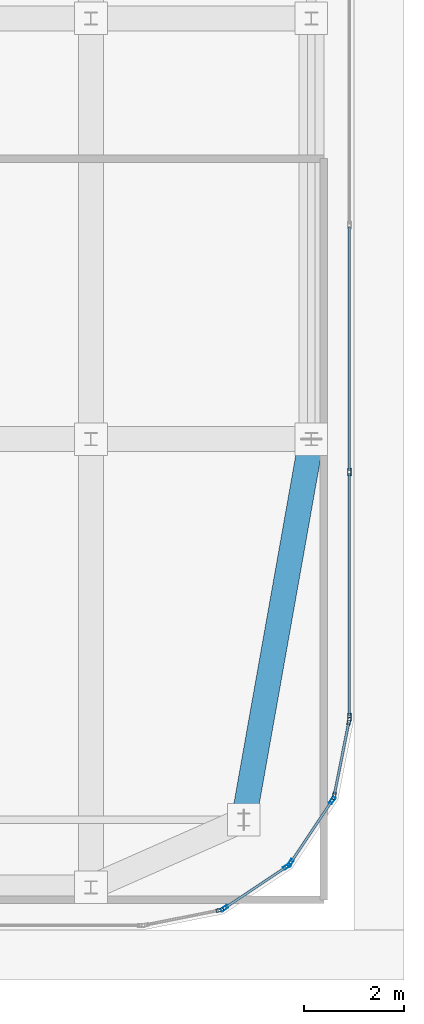
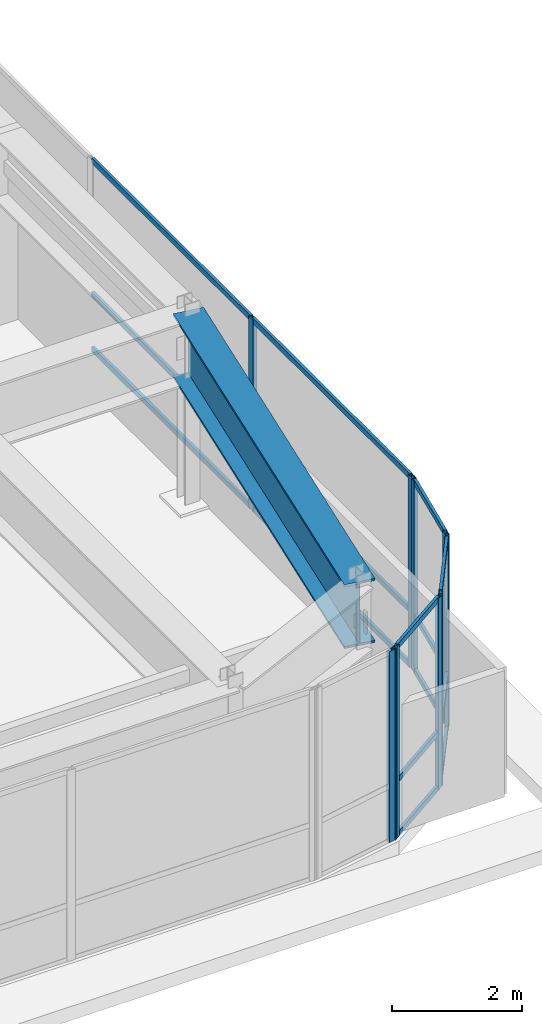
# One storey, part 19 of 35: 24 members, 1 beam, 5 elements without a shape of their own.
"""IFC4 building model written with IfcOpenShell, lengths in metres."""

from ifc_helpers import new_model, si_unit, direction, frame, origin, origin_2d, place, context, subcontext, project, spatial, hollow_rectangle, i_section, extrude, source, transform, mapped, material, layer, layer_set, material_profile, profile_set, type_object, type_shapes, element, aggregate, save


model = new_model("IFC4")

# Units and contexts
model_context = context("Model", 3, precision=1e-05, world=origin(), true_north=direction((0.0, 1.0)))
body_context = subcontext(model_context, "Body", "Model", "MODEL_VIEW")
ifc_project = project(units=[si_unit("LENGTHUNIT", "METRE"), si_unit("AREAUNIT", "SQUARE_METRE"), si_unit("VOLUMEUNIT", "CUBIC_METRE"), si_unit("PLANEANGLEUNIT", "RADIAN"), si_unit("MASSUNIT", "GRAM", prefix="KILO")], contexts=[model_context])

# Site, building, storey
site_placement = place(None, origin())
site = spatial("IfcSite", under=ifc_project, at=site_placement, CompositionType="ELEMENT")
building_placement = place(site_placement, origin())
building = spatial("IfcBuilding", under=site, at=building_placement, Name="Tolvann Quenvar Hotel", CompositionType="ELEMENT")
storey_placement = place(building_placement, frame((0.0, 0.0, 290.949951171875)))
storey = spatial("IfcBuildingStorey", under=building, at=storey_placement, Name="L77", CompositionType="ELEMENT", Elevation=290.949951171875)

# Beam
ifc_material_1 = material(Name="Steel Grade 350", Category="steel")
ifc_material_profile_1 = material_profile(ifc_material_1, i_section(OverallWidth=0.5, OverallDepth=1.199951171875, WebThickness=0.01611328125, FlangeThickness=0.0400390625, at=origin_2d()), Name="1200WB455")
ifc_profile_set_1 = profile_set([ifc_material_profile_1], Name="Steel Grade 350")
beam_type = type_object("IfcBeamType", Name="BM_TG_1200WB455", PredefinedType="USERDEFINED", material=ifc_profile_set_1)
shared_shape_1 = source(origin(), body_context, "Body", "SweptSolid", [
    extrude(i_section(OverallWidth=0.5, OverallDepth=1.199951171875, WebThickness=0.01611328125, FlangeThickness=0.0400390625, at=origin_2d()), origin(), (0.0, 0.0, 1.0), 7.718994140625),
])
type_shapes(beam_type, [shared_shape_1])
beam_placement = place(storey_placement, frame((35.800048828125, 8.39990234375, 2.97998046875), z_axis=(0.174873222329, 0.984590958781, 0.0), x_axis=(-0.984590958781, 0.174873222329, 0.0)))
element("IfcBeam", 1, at=beam_placement, inside=storey, type_object=beam_type, Name="BM-L77-NS-G2-G4", ObjectType="TRANSFER GIRDER", PredefinedType="USERDEFINED", context=body_context, shape_type="MappedRepresentation", body=[
    mapped(shared_shape_1, transform((0.0, 0.0, 0.0), x_axis=(1.0, 0.0, 0.0), y_axis=(0.0, 1.0, 0.0), z_axis=(0.0, 0.0, 1.0), scale=1.0)),
])

# Curtain wall, member
ifc_material_2 = material(Name="Thermally broken anodised architectural aluminium 6063-T6 and laminated low-E glass", Category="aluminium")
ifc_layer = layer(ifc_material_2, 0.179931640625)
ifc_layer_set = layer_set([ifc_layer], Name="Thermally broken anodised architectural aluminium 6063-T6 and laminated low-E glass")
curtain_wall_type = type_object("IfcCurtainWallType", Name="CW_SYS_LANT_06", PredefinedType="USERDEFINED", material=ifc_layer_set)
curtain_wall_1_placement = place(storey_placement, origin())
curtain_wall_1 = element("IfcCurtainWall", 2, at=curtain_wall_1_placement, inside=storey, type_object=curtain_wall_type, Name="Curtain Wall CW-LANT-06 (CWR-L77-E05)", ObjectType="UNITISED CURTAIN WALL", PredefinedType="USERDEFINED")
ifc_material_3 = material(Name="Anodised architectural aluminium 6063-T6 framing", Category="aluminium")
ifc_material_profile_2 = material_profile(ifc_material_3, hollow_rectangle(XDim=0.06494140625, YDim=0.14990234375, WallThickness=0.00390625, at=origin_2d()), Name="150x65x4RHS")
ifc_profile_set_2 = profile_set([ifc_material_profile_2], Name="Anodised architectural aluminium 6063-T6 framing")
member_type_1 = type_object("IfcMemberType", Name="CW_MULL_150x65", PredefinedType="MULLION", material=ifc_profile_set_2)
shared_shape_2 = source(origin(), body_context, "Body", "SweptSolid", [
    extrude(hollow_rectangle(XDim=0.06494140625, YDim=0.14990234375, WallThickness=0.00390625, at=origin_2d()), origin(), (0.0, 0.0, 1.0), 3.580078125),
])
type_shapes(member_type_1, [shared_shape_2])
member_1_placement = place(storey_placement, frame((35.32373046875, 6.5947265625, 0.0), z_axis=(0.0, 0.0, 1.0), x_axis=(-0.195061569369, 0.980790999222, 0.0)))
member_1 = element("IfcMember", 3, at=member_1_placement, type_object=member_type_1, Name="CW-LANT-06 mullion 2", PredefinedType="MULLION", context=body_context, shape_type="MappedRepresentation", body=[
    mapped(shared_shape_2, transform((0.0, 0.0, 0.0), x_axis=(1.0, 0.0, 0.0), y_axis=(0.0, 1.0, 0.0), z_axis=(0.0, 0.0, 1.0), scale=1.0)),
])
aggregate(curtain_wall_1, [member_1])

# Curtain wall, members
curtain_wall_2_placement = place(storey_placement, origin())
curtain_wall_2 = element("IfcCurtainWall", 4, at=curtain_wall_2_placement, inside=storey, type_object=curtain_wall_type, Name="Curtain Wall CW-LANT-06 (CWR-L77-E06)", ObjectType="UNITISED CURTAIN WALL", PredefinedType="USERDEFINED")
member_2_placement = place(storey_placement, frame((35.413330078125, 6.6318359375, 0.0), z_axis=(0.0, 0.0, 1.0), x_axis=(-0.555655769644, 0.831412452193, 0.0)))
member_2 = element("IfcMember", 5, at=member_2_placement, type_object=member_type_1, Name="CW-LANT-06 mullion 1", PredefinedType="MULLION", context=body_context, shape_type="MappedRepresentation", body=[
    mapped(shared_shape_2, transform((0.0, 0.0, 0.0), x_axis=(1.0, 0.0, 0.0), y_axis=(0.0, 1.0, 0.0), z_axis=(0.0, 0.0, 1.0), scale=1.0)),
])
member_3_placement = place(storey_placement, frame((36.663818359375, 7.467529296875, 0.0), z_axis=(0.0, 0.0, 1.0), x_axis=(-0.555655769644, 0.831412452193, 0.0)))
member_3 = element("IfcMember", 6, at=member_3_placement, type_object=member_type_1, Name="CW-LANT-06 mullion 2", PredefinedType="MULLION", context=body_context, shape_type="MappedRepresentation", body=[
    mapped(shared_shape_2, transform((0.0, 0.0, 0.0), x_axis=(1.0, 0.0, 0.0), y_axis=(0.0, 1.0, 0.0), z_axis=(0.0, 0.0, 1.0), scale=1.0)),
])

curtain_wall_3_placement = place(storey_placement, origin())
curtain_wall_3 = element("IfcCurtainWall", 7, at=curtain_wall_3_placement, inside=storey, type_object=curtain_wall_type, Name="Curtain Wall CW-LANT-06 (CWR-L77-E07)", ObjectType="UNITISED CURTAIN WALL", PredefinedType="USERDEFINED")
member_4_placement = place(storey_placement, frame((36.732421875, 7.5361328125, 0.0), z_axis=(0.0, 0.0, 1.0), x_axis=(-0.831412452193, 0.555655769644, 0.0)))
member_4 = element("IfcMember", 8, at=member_4_placement, type_object=member_type_1, Name="CW-LANT-06 mullion 1", PredefinedType="MULLION", context=body_context, shape_type="MappedRepresentation", body=[
    mapped(shared_shape_2, transform((0.0, 0.0, 0.0), x_axis=(1.0, 0.0, 0.0), y_axis=(0.0, 1.0, 0.0), z_axis=(0.0, 0.0, 1.0), scale=1.0)),
])
member_5_placement = place(storey_placement, frame((37.568115234375, 8.786865234375, 0.0), z_axis=(0.0, 0.0, 1.0), x_axis=(-0.831412452193, 0.555655769644, 0.0)))
member_5 = element("IfcMember", 9, at=member_5_placement, type_object=member_type_1, Name="CW-LANT-06 mullion 2", PredefinedType="MULLION", context=body_context, shape_type="MappedRepresentation", body=[
    mapped(shared_shape_2, transform((0.0, 0.0, 0.0), x_axis=(1.0, 0.0, 0.0), y_axis=(0.0, 1.0, 0.0), z_axis=(0.0, 0.0, 1.0), scale=1.0)),
])

curtain_wall_4_placement = place(storey_placement, origin())
curtain_wall_4 = element("IfcCurtainWall", 10, at=curtain_wall_4_placement, inside=storey, type_object=curtain_wall_type, Name="Curtain Wall CW-LANT-06 (CWR-L77-E08)", ObjectType="UNITISED CURTAIN WALL", PredefinedType="USERDEFINED")
member_6_placement = place(storey_placement, frame((37.605224609375, 8.876220703125, 0.0), z_axis=(0.0, 0.0, 1.0), x_axis=(-0.980790999222, 0.195061569369, 0.0)))
member_6 = element("IfcMember", 11, at=member_6_placement, type_object=member_type_1, Name="CW-LANT-06 mullion 1", PredefinedType="MULLION", context=body_context, shape_type="MappedRepresentation", body=[
    mapped(shared_shape_2, transform((0.0, 0.0, 0.0), x_axis=(1.0, 0.0, 0.0), y_axis=(0.0, 1.0, 0.0), z_axis=(0.0, 0.0, 1.0), scale=1.0)),
])
member_7_placement = place(storey_placement, frame((37.902099609375, 10.36865234375, 0.0), z_axis=(0.0, 0.0, 1.0), x_axis=(-0.980790999222, 0.195061569369, 0.0)))
member_7 = element("IfcMember", 12, at=member_7_placement, type_object=member_type_1, Name="CW-LANT-06 mullion 2", PredefinedType="MULLION", context=body_context, shape_type="MappedRepresentation", body=[
    mapped(shared_shape_2, transform((0.0, 0.0, 0.0), x_axis=(1.0, 0.0, 0.0), y_axis=(0.0, 1.0, 0.0), z_axis=(0.0, 0.0, 1.0), scale=1.0)),
])

curtain_wall_5_placement = place(storey_placement, origin())
curtain_wall_5 = element("IfcCurtainWall", 13, at=curtain_wall_5_placement, inside=storey, type_object=curtain_wall_type, Name="Curtain Wall CW-LANT-06 (CWR-L77-E09)", ObjectType="UNITISED CURTAIN WALL", PredefinedType="USERDEFINED")
member_8_placement = place(storey_placement, frame((37.909912109375, 10.44970703125, 0.0), z_axis=(0.0, 0.0, 1.0), x_axis=(-1.0, 0.0, 0.0)))
member_8 = element("IfcMember", 14, at=member_8_placement, type_object=member_type_1, Name="CW-LANT-06 mullion 1", PredefinedType="MULLION", context=body_context, shape_type="MappedRepresentation", body=[
    mapped(shared_shape_2, transform((0.0, 0.0, 0.0), x_axis=(1.0, 0.0, 0.0), y_axis=(0.0, 1.0, 0.0), z_axis=(0.0, 0.0, 1.0), scale=1.0)),
])
member_9_placement = place(storey_placement, frame((37.909912109375, 15.3447265625, 0.0), z_axis=(0.0, 0.0, 1.0), x_axis=(-1.0, 0.0, 0.0)))
member_9 = element("IfcMember", 15, at=member_9_placement, type_object=member_type_1, Name="CW-LANT-06 mullion 2", PredefinedType="MULLION", context=body_context, shape_type="MappedRepresentation", body=[
    mapped(shared_shape_2, transform((0.0, 0.0, 0.0), x_axis=(1.0, 0.0, 0.0), y_axis=(0.0, 1.0, 0.0), z_axis=(0.0, 0.0, 1.0), scale=1.0)),
])

# Member
ifc_material_profile_3 = material_profile(ifc_material_3, hollow_rectangle(XDim=0.050048828125, YDim=0.10009765625, WallThickness=0.0029296875, at=origin_2d()), Name="100x50x3RHS")
ifc_profile_set_3 = profile_set([ifc_material_profile_3], Name="Anodised architectural aluminium 6063-T6 framing")
member_type_2 = type_object("IfcMemberType", Name="CW_TRAN_100x50", PredefinedType="USERDEFINED", material=ifc_profile_set_3)
shared_shape_3 = source(origin(), body_context, "Body", "SweptSolid", [
    extrude(hollow_rectangle(XDim=0.050048828125, YDim=0.10009765625, WallThickness=0.0029296875, at=origin_2d()), origin(), (0.0, 0.0, 1.0), 1.439208984375),
])
member_10_placement = place(storey_placement, frame((35.440185546875, 6.64990234375, 0.025146484375), z_axis=(0.831449510818, 0.555600315839, 0.0), x_axis=(-0.555600315839, 0.831449510818, 0.0)))
member_10 = element("IfcMember", 16, at=member_10_placement, type_object=member_type_2, Name="CW-LANT-06 transom 1.1", ObjectType="TRANSOM", PredefinedType="USERDEFINED", context=body_context, shape_type="MappedRepresentation", body=[
    mapped(shared_shape_3, transform((0.0, 0.0, 0.0), x_axis=(1.0, 0.0, 0.0), y_axis=(0.0, 1.0, 0.0), z_axis=(0.0, 0.0, 1.0), scale=1.0)),
])

member_11_placement = place(storey_placement, frame((35.440185546875, 6.64990234375, 1.050048828125), z_axis=(0.831449510818, 0.555600315839, 0.0), x_axis=(-0.555600315839, 0.831449510818, 0.0)))
member_11 = element("IfcMember", 17, at=member_11_placement, type_object=member_type_2, Name="CW-LANT-06 transom 1.2", ObjectType="TRANSOM", PredefinedType="USERDEFINED", context=body_context, shape_type="MappedRepresentation", body=[
    mapped(shared_shape_3, transform((0.0, 0.0, 0.0), x_axis=(1.0, 0.0, 0.0), y_axis=(0.0, 1.0, 0.0), z_axis=(0.0, 0.0, 1.0), scale=1.0)),
])

member_12_placement = place(storey_placement, frame((35.440185546875, 6.64990234375, 3.554931640625), z_axis=(0.831449510818, 0.555600315839, 0.0), x_axis=(-0.555600315839, 0.831449510818, 0.0)))
member_12 = element("IfcMember", 18, at=member_12_placement, type_object=member_type_2, Name="CW-LANT-06 transom 1.3", ObjectType="TRANSOM", PredefinedType="USERDEFINED", context=body_context, shape_type="MappedRepresentation", body=[
    mapped(shared_shape_3, transform((0.0, 0.0, 0.0), x_axis=(1.0, 0.0, 0.0), y_axis=(0.0, 1.0, 0.0), z_axis=(0.0, 0.0, 1.0), scale=1.0)),
])

aggregate(curtain_wall_2, [member_2, member_3, member_10, member_11, member_12])

member_13_placement = place(storey_placement, frame((36.75048828125, 7.563232421875, 0.025146484375), z_axis=(0.555600315839, 0.831449510818, 0.0), x_axis=(-0.831449510818, 0.555600315839, 0.0)))
member_13 = element("IfcMember", 19, at=member_13_placement, type_object=member_type_2, Name="CW-LANT-06 transom 1.1", ObjectType="TRANSOM", PredefinedType="USERDEFINED", context=body_context, shape_type="MappedRepresentation", body=[
    mapped(shared_shape_3, transform((0.0, 0.0, 0.0), x_axis=(1.0, 0.0, 0.0), y_axis=(0.0, 1.0, 0.0), z_axis=(0.0, 0.0, 1.0), scale=1.0)),
])

member_14_placement = place(storey_placement, frame((36.75048828125, 7.563232421875, 1.050048828125), z_axis=(0.555600315839, 0.831449510818, 0.0), x_axis=(-0.831449510818, 0.555600315839, 0.0)))
member_14 = element("IfcMember", 20, at=member_14_placement, type_object=member_type_2, Name="CW-LANT-06 transom 1.2", ObjectType="TRANSOM", PredefinedType="USERDEFINED", context=body_context, shape_type="MappedRepresentation", body=[
    mapped(shared_shape_3, transform((0.0, 0.0, 0.0), x_axis=(1.0, 0.0, 0.0), y_axis=(0.0, 1.0, 0.0), z_axis=(0.0, 0.0, 1.0), scale=1.0)),
])

member_15_placement = place(storey_placement, frame((36.75048828125, 7.563232421875, 3.554931640625), z_axis=(0.555600315839, 0.831449510818, 0.0), x_axis=(-0.831449510818, 0.555600315839, 0.0)))
member_15 = element("IfcMember", 21, at=member_15_placement, type_object=member_type_2, Name="CW-LANT-06 transom 1.3", ObjectType="TRANSOM", PredefinedType="USERDEFINED", context=body_context, shape_type="MappedRepresentation", body=[
    mapped(shared_shape_3, transform((0.0, 0.0, 0.0), x_axis=(1.0, 0.0, 0.0), y_axis=(0.0, 1.0, 0.0), z_axis=(0.0, 0.0, 1.0), scale=1.0)),
])

aggregate(curtain_wall_3, [member_4, member_5, member_13, member_14, member_15])

shared_shape_4 = source(origin(), body_context, "Body", "SweptSolid", [
    extrude(hollow_rectangle(XDim=0.050048828125, YDim=0.10009765625, WallThickness=0.0029296875, at=origin_2d()), origin(), (0.0, 0.0, 1.0), 1.456787109375),
])
member_16_placement = place(storey_placement, frame((37.611572265625, 8.908203125, 0.025146484375), z_axis=(0.195084651288, 0.980786408364, 0.0), x_axis=(-0.980786408364, 0.195084651288, 0.0)))
member_16 = element("IfcMember", 22, at=member_16_placement, type_object=member_type_2, Name="CW-LANT-06 transom 1.1", ObjectType="TRANSOM", PredefinedType="USERDEFINED", context=body_context, shape_type="MappedRepresentation", body=[
    mapped(shared_shape_4, transform((0.0, 0.0, 0.0), x_axis=(1.0, 0.0, 0.0), y_axis=(0.0, 1.0, 0.0), z_axis=(0.0, 0.0, 1.0), scale=1.0)),
])

member_17_placement = place(storey_placement, frame((37.611572265625, 8.908203125, 1.050048828125), z_axis=(0.195084651288, 0.980786408364, 0.0), x_axis=(-0.980786408364, 0.195084651288, 0.0)))
member_17 = element("IfcMember", 23, at=member_17_placement, type_object=member_type_2, Name="CW-LANT-06 transom 1.2", ObjectType="TRANSOM", PredefinedType="USERDEFINED", context=body_context, shape_type="MappedRepresentation", body=[
    mapped(shared_shape_4, transform((0.0, 0.0, 0.0), x_axis=(1.0, 0.0, 0.0), y_axis=(0.0, 1.0, 0.0), z_axis=(0.0, 0.0, 1.0), scale=1.0)),
])

member_18_placement = place(storey_placement, frame((37.611572265625, 8.908203125, 3.554931640625), z_axis=(0.195084651288, 0.980786408364, 0.0), x_axis=(-0.980786408364, 0.195084651288, 0.0)))
member_18 = element("IfcMember", 24, at=member_18_placement, type_object=member_type_2, Name="CW-LANT-06 transom 1.3", ObjectType="TRANSOM", PredefinedType="USERDEFINED", context=body_context, shape_type="MappedRepresentation", body=[
    mapped(shared_shape_4, transform((0.0, 0.0, 0.0), x_axis=(1.0, 0.0, 0.0), y_axis=(0.0, 1.0, 0.0), z_axis=(0.0, 0.0, 1.0), scale=1.0)),
])

aggregate(curtain_wall_4, [member_6, member_7, member_16, member_17, member_18])

shared_shape_5 = source(origin(), body_context, "Body", "SweptSolid", [
    extrude(hollow_rectangle(XDim=0.050048828125, YDim=0.10009765625, WallThickness=0.0029296875, at=origin_2d()), origin(), (0.0, 0.0, 1.0), 4.830078125),
])
member_19_placement = place(storey_placement, frame((37.909912109375, 10.482177734375, 0.025146484375), z_axis=(0.0, 1.0, 0.0), x_axis=(-1.0, 0.0, 0.0)))
member_19 = element("IfcMember", 25, at=member_19_placement, type_object=member_type_2, Name="CW-LANT-06 transom 1.1", ObjectType="TRANSOM", PredefinedType="USERDEFINED", context=body_context, shape_type="MappedRepresentation", body=[
    mapped(shared_shape_5, transform((0.0, 0.0, 0.0), x_axis=(1.0, 0.0, 0.0), y_axis=(0.0, 1.0, 0.0), z_axis=(0.0, 0.0, 1.0), scale=1.0)),
])

member_20_placement = place(storey_placement, frame((37.909912109375, 10.482177734375, 1.050048828125), z_axis=(0.0, 1.0, 0.0), x_axis=(-1.0, 0.0, 0.0)))
member_20 = element("IfcMember", 26, at=member_20_placement, type_object=member_type_2, Name="CW-LANT-06 transom 1.2", ObjectType="TRANSOM", PredefinedType="USERDEFINED", context=body_context, shape_type="MappedRepresentation", body=[
    mapped(shared_shape_5, transform((0.0, 0.0, 0.0), x_axis=(1.0, 0.0, 0.0), y_axis=(0.0, 1.0, 0.0), z_axis=(0.0, 0.0, 1.0), scale=1.0)),
])

member_21_placement = place(storey_placement, frame((37.909912109375, 10.482177734375, 3.554931640625), z_axis=(0.0, 1.0, 0.0), x_axis=(-1.0, 0.0, 0.0)))
member_21 = element("IfcMember", 27, at=member_21_placement, type_object=member_type_2, Name="CW-LANT-06 transom 1.3", ObjectType="TRANSOM", PredefinedType="USERDEFINED", context=body_context, shape_type="MappedRepresentation", body=[
    mapped(shared_shape_5, transform((0.0, 0.0, 0.0), x_axis=(1.0, 0.0, 0.0), y_axis=(0.0, 1.0, 0.0), z_axis=(0.0, 0.0, 1.0), scale=1.0)),
])

shared_shape_6 = source(origin(), body_context, "Body", "SweptSolid", [
    extrude(hollow_rectangle(XDim=0.050048828125, YDim=0.10009765625, WallThickness=0.0029296875, at=origin_2d()), origin(), (0.0, 0.0, 1.0), 4.86279296875),
])
type_shapes(member_type_2, [shared_shape_3, shared_shape_4, shared_shape_5, shared_shape_6])
member_22_placement = place(storey_placement, frame((37.909912109375, 15.377197265625, 0.025146484375), z_axis=(0.0, 1.0, 0.0), x_axis=(-1.0, 0.0, 0.0)))
member_22 = element("IfcMember", 28, at=member_22_placement, type_object=member_type_2, Name="CW-LANT-06 transom 2.1", ObjectType="TRANSOM", PredefinedType="USERDEFINED", context=body_context, shape_type="MappedRepresentation", body=[
    mapped(shared_shape_6, transform((0.0, 0.0, 0.0), x_axis=(1.0, 0.0, 0.0), y_axis=(0.0, 1.0, 0.0), z_axis=(0.0, 0.0, 1.0), scale=1.0)),
])

member_23_placement = place(storey_placement, frame((37.909912109375, 15.377197265625, 1.050048828125), z_axis=(0.0, 1.0, 0.0), x_axis=(-1.0, 0.0, 0.0)))
member_23 = element("IfcMember", 29, at=member_23_placement, type_object=member_type_2, Name="CW-LANT-06 transom 2.2", ObjectType="TRANSOM", PredefinedType="USERDEFINED", context=body_context, shape_type="MappedRepresentation", body=[
    mapped(shared_shape_6, transform((0.0, 0.0, 0.0), x_axis=(1.0, 0.0, 0.0), y_axis=(0.0, 1.0, 0.0), z_axis=(0.0, 0.0, 1.0), scale=1.0)),
])

member_24_placement = place(storey_placement, frame((37.909912109375, 15.377197265625, 3.554931640625), z_axis=(0.0, 1.0, 0.0), x_axis=(-1.0, 0.0, 0.0)))
member_24 = element("IfcMember", 30, at=member_24_placement, type_object=member_type_2, Name="CW-LANT-06 transom 2.3", ObjectType="TRANSOM", PredefinedType="USERDEFINED", context=body_context, shape_type="MappedRepresentation", body=[
    mapped(shared_shape_6, transform((0.0, 0.0, 0.0), x_axis=(1.0, 0.0, 0.0), y_axis=(0.0, 1.0, 0.0), z_axis=(0.0, 0.0, 1.0), scale=1.0)),
])

aggregate(curtain_wall_5, [member_8, member_9, member_19, member_20, member_21, member_22, member_23, member_24])

save(model, "model.ifc")
